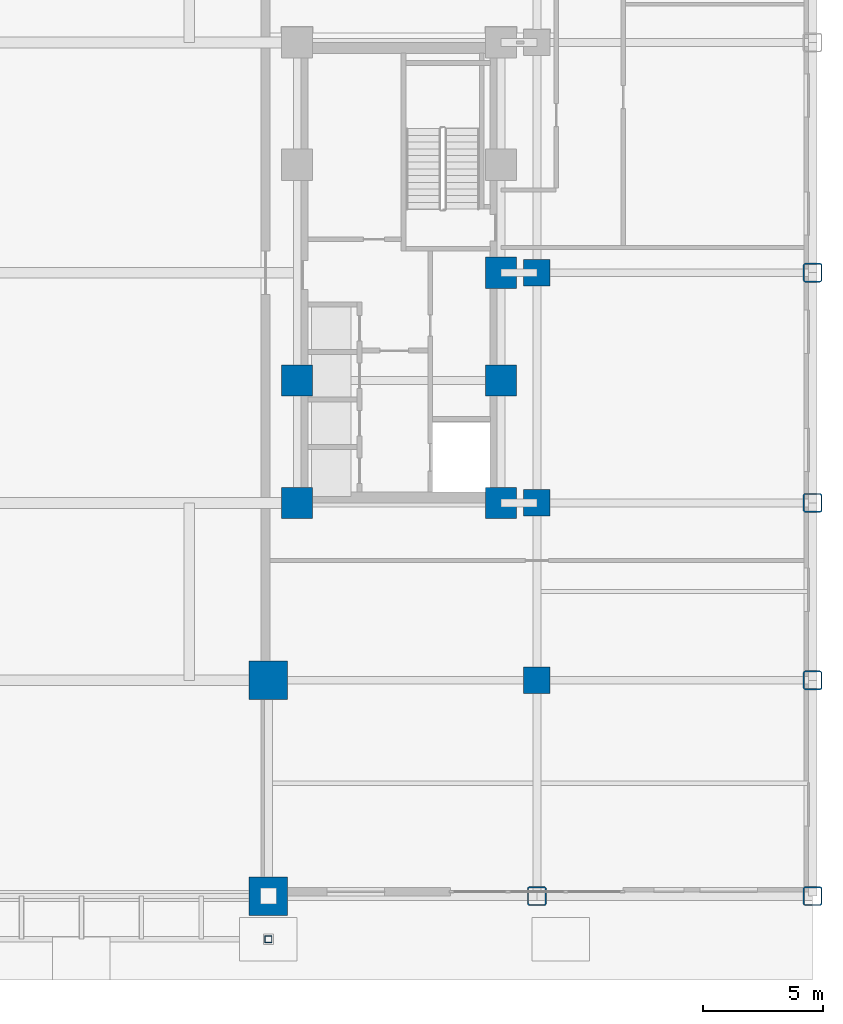
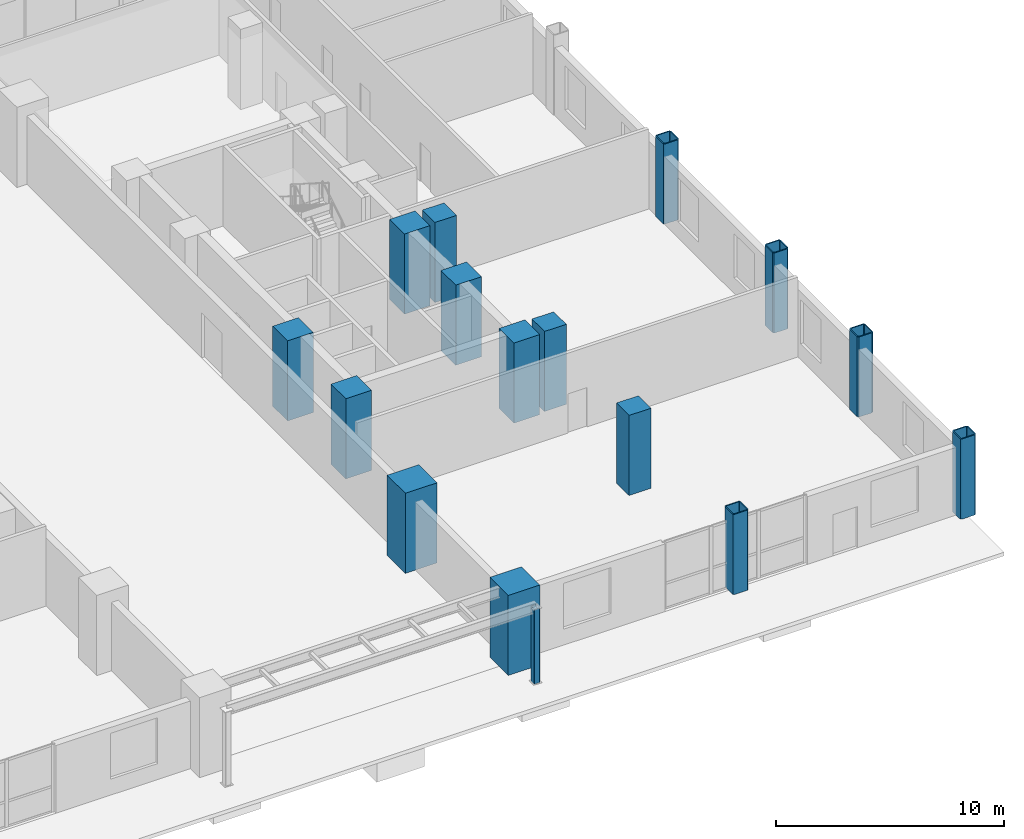
# One storey, part 3 of 20: 16 columns.
"""IFC4 building model written with IfcOpenShell, lengths in metres."""

from ifc_helpers import new_model, si_unit, direction, frame, origin, origin_2d, place, context, subcontext, project, spatial, rectangle, hollow_rectangle, extrude, material, material_profile, profile_set, type_object, element, save


model = new_model("IFC4")

# Units and contexts
model_context = context("Model", 3, precision=1e-05, world=origin(), true_north=direction((0.0, 1.0)))
body_context = subcontext(model_context, "Body", "Model", "MODEL_VIEW")
ifc_project = project(units=[si_unit("LENGTHUNIT", "METRE"), si_unit("AREAUNIT", "SQUARE_METRE"), si_unit("VOLUMEUNIT", "CUBIC_METRE"), si_unit("PLANEANGLEUNIT", "RADIAN"), si_unit("MASSUNIT", "GRAM", prefix="KILO")], contexts=[model_context])

# Site, building, storey
site_placement = place(None, origin())
site = spatial("IfcSite", under=ifc_project, at=site_placement, CompositionType="ELEMENT")
building_placement = place(site_placement, origin())
building = spatial("IfcBuilding", under=site, at=building_placement, Name="Nuvemarco Arch Tower", CompositionType="ELEMENT")
storey_placement = place(building_placement, origin())
storey = spatial("IfcBuildingStorey", under=building, at=storey_placement, Name="L00", CompositionType="ELEMENT", Elevation=0.0)

# Columns
ifc_material_1 = material(Name="Steel S355", Category="steel")
ifc_material_profile_1 = material_profile(ifc_material_1, hollow_rectangle(XDim=0.300048828125, YDim=0.300048828125, WallThickness=0.01611328125, InnerFilletRadius=0.01611328125, OuterFilletRadius=0.031982421875, at=origin_2d()), Name="SHS300x300x16")
ifc_profile_set_1 = profile_set([ifc_material_profile_1], Name="Steel S355")
column_type_1 = type_object("IfcColumnType", Name="COL-CANOPY-300", PredefinedType="COLUMN", material=ifc_profile_set_1)
column_placement = place(storey_placement, frame((7.800048828125, -27.800048828125, 0.0), z_axis=(0.0, 0.0, 1.0), x_axis=(1.0, 0.0, 0.0)))
element("IfcColumn", 1, at=column_placement, inside=storey, type_object=column_type_1, Name="Portal arch canopy post S-E", PredefinedType="COLUMN", context=body_context, shape_type="SweptSolid", body=[
    extrude(hollow_rectangle(XDim=0.300048828125, YDim=0.300048828125, WallThickness=0.01611328125, InnerFilletRadius=0.01611328125, OuterFilletRadius=0.031982421875, at=origin_2d()), origin(), (0.0, 0.0, 1.0), 4.0),
])
ifc_material_2 = material(Name="Concrete C60/75", Category="concrete")
ifc_material_profile_2 = material_profile(ifc_material_2, rectangle(XDim=1.10009765625, YDim=1.10009765625, at=origin_2d()), Name="RC-COL-1100x1100")
ifc_profile_set_2 = profile_set([ifc_material_profile_2], Name="Concrete C60/75")
column_type_2 = type_object("IfcColumnType", Name="COL-CORE-1100", PredefinedType="COLUMN", material=ifc_profile_set_2)
for number, where, z_axis, x_axis, name in (
    (2, (19.0, -17.0, 0.0), (0.0, 0.0, 1.0), (1.0, 0.0, 0.0), "L00 column CP_+19.0_-17.0"),
    (3, (19.0, -9.60009765625, 0.0), (0.0, 0.0, 1.0), (1.0, 0.0, 0.0), "L00 column CP_+19.0_-9.6"),
    (4, (19.0, 0.0, 0.0), (0.0, 0.0, 1.0), (1.0, 0.0, 0.0), "L00 column CP_+19.0_+0.0"),
):
    element("IfcColumn", number, at=place(storey_placement, frame(where, z_axis=z_axis, x_axis=x_axis)), inside=storey, type_object=column_type_2, Name=name, PredefinedType="COLUMN", context=body_context, shape_type="SweptSolid", body=[
        extrude(rectangle(XDim=1.10009765625, YDim=1.10009765625, at=origin_2d()), origin(), (0.0, 0.0, 1.0), 4.280029296875),
    ])
ifc_material_profile_3 = material_profile(ifc_material_2, rectangle(XDim=1.300048828125, YDim=1.300048828125, at=origin_2d()), Name="RC-COL-1300x1300")
ifc_profile_set_3 = profile_set([ifc_material_profile_3], Name="Concrete C60/75")
column_type_3 = type_object("IfcColumnType", Name="COL-CORE-1300", PredefinedType="COLUMN", material=ifc_profile_set_3)
for number, where, z_axis, x_axis, name in (
    (5, (9.0, -9.60009765625, 0.0), (0.0, 0.0, 1.0), (1.0, 0.0, 0.0), "L00 column CC_+9.0_-9.6"),
    (6, (9.0, -4.5, 0.0), (0.0, 0.0, 1.0), (1.0, 0.0, 0.0), "L00 column CC_+9.0_-4.5"),
    (7, (17.5, -9.60009765625, 0.0), (0.0, 0.0, 1.0), (1.0, 0.0, 0.0), "L00 column CC_+17.5_-9.6"),
    (8, (17.5, -4.5, 0.0), (0.0, 0.0, 1.0), (1.0, 0.0, 0.0), "L00 column CC_+17.5_-4.5"),
    (9, (17.5, 0.0, 0.0), (0.0, 0.0, 1.0), (1.0, 0.0, 0.0), "L00 column CC_+17.5_+0.0"),
):
    element("IfcColumn", number, at=place(storey_placement, frame(where, z_axis=z_axis, x_axis=x_axis)), inside=storey, type_object=column_type_3, Name=name, PredefinedType="COLUMN", context=body_context, shape_type="SweptSolid", body=[
        extrude(rectangle(XDim=1.300048828125, YDim=1.300048828125, at=origin_2d()), origin(), (0.0, 0.0, 1.0), 4.280029296875),
    ])
ifc_material_3 = material(Name="Steel S460", Category="steel")
ifc_material_profile_4 = material_profile(ifc_material_3, hollow_rectangle(XDim=0.800048828125, YDim=0.800048828125, WallThickness=0.054931640625, InnerFilletRadius=0.054931640625, OuterFilletRadius=0.110107421875, at=origin_2d()), Name="SHS800x800x55")
ifc_profile_set_4 = profile_set([ifc_material_profile_4], Name="Steel S460")
column_type_4 = type_object("IfcColumnType", Name="COL-EXO-800", PredefinedType="COLUMN", material=ifc_profile_set_4)
for number, where, z_axis, x_axis, name in (
    (10, (19.0, -26.0, 0.0), (0.0, 0.0, 1.0), (1.0, 0.0, 0.0), "L00 column CP_+19.0_-26.0"),
    (11, (30.5, -26.0, 0.0), (0.0, 0.0, 1.0), (1.0, 0.0, 0.0), "L00 column CP_+30.5_-26.0"),
    (12, (30.5, -17.0, 0.0), (0.0, 0.0, 1.0), (1.0, 0.0, 0.0), "L00 column CP_+30.5_-17.0"),
    (13, (30.5, -9.60009765625, 0.0), (0.0, 0.0, 1.0), (1.0, 0.0, 0.0), "L00 column CP_+30.5_-9.6"),
    (14, (30.5, 0.0, 0.0), (0.0, 0.0, 1.0), (1.0, 0.0, 0.0), "L00 column CP_+30.5_+0.0"),
):
    element("IfcColumn", number, at=place(storey_placement, frame(where, z_axis=z_axis, x_axis=x_axis)), inside=storey, type_object=column_type_4, Name=name, PredefinedType="COLUMN", context=body_context, shape_type="SweptSolid", body=[
        extrude(hollow_rectangle(XDim=0.800048828125, YDim=0.800048828125, WallThickness=0.054931640625, InnerFilletRadius=0.054931640625, OuterFilletRadius=0.110107421875, at=origin_2d()), origin(), (0.0, 0.0, 1.0), 4.280029296875),
    ])
ifc_material_profile_5 = material_profile(ifc_material_2, rectangle(XDim=1.60009765625, YDim=1.60009765625, at=origin_2d()), Name="RC-COL-1600x1600")
ifc_profile_set_5 = profile_set([ifc_material_profile_5], Name="Concrete C60/75")
column_type_5 = type_object("IfcColumnType", Name="COL-MEGA-1600-EXT", PredefinedType="COLUMN", material=ifc_profile_set_5)
for number, where, z_axis, x_axis, name in (
    (15, (7.800048828125, -26.0, 0.0), (0.0, 0.0, 1.0), (1.0, 0.0, 0.0), "L00 column CM_+7.8_-26.0"),
    (16, (7.800048828125, -17.0, 0.0), (0.0, 0.0, 1.0), (1.0, 0.0, 0.0), "L00 column CM_+7.8_-17.0"),
):
    element("IfcColumn", number, at=place(storey_placement, frame(where, z_axis=z_axis, x_axis=x_axis)), inside=storey, type_object=column_type_5, Name=name, PredefinedType="COLUMN", context=body_context, shape_type="SweptSolid", body=[
        extrude(rectangle(XDim=1.60009765625, YDim=1.60009765625, at=origin_2d()), origin(), (0.0, 0.0, 1.0), 4.280029296875),
    ])

save(model, "model.ifc")
